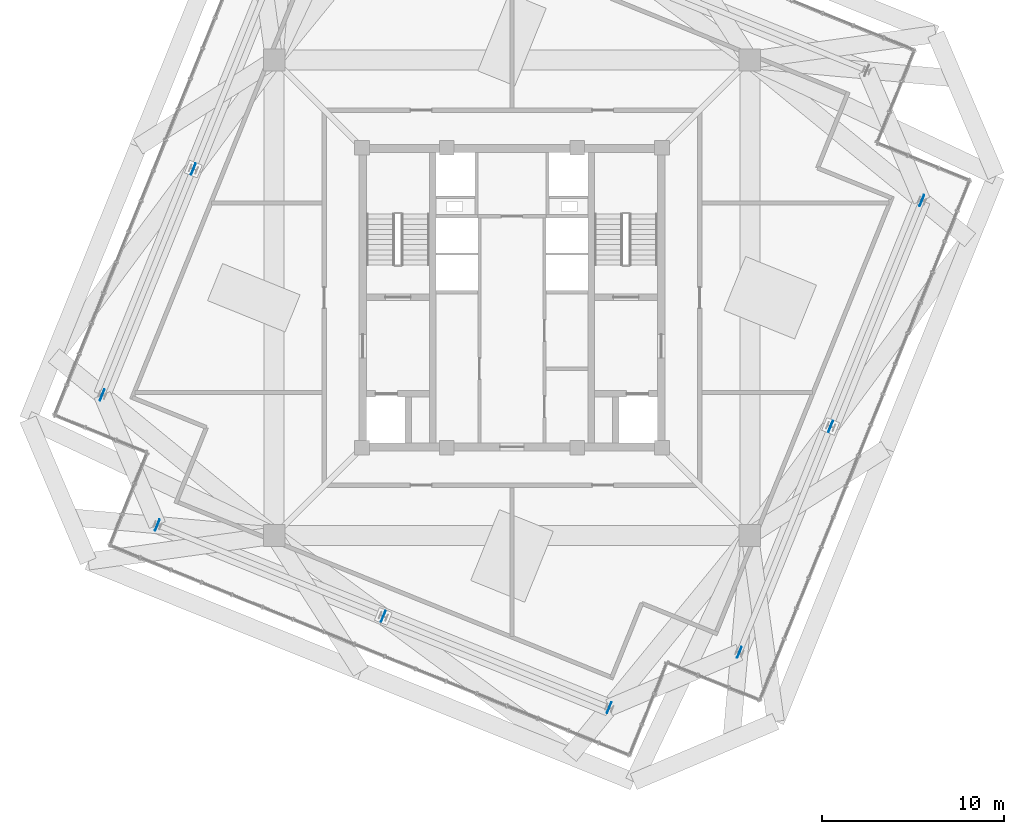
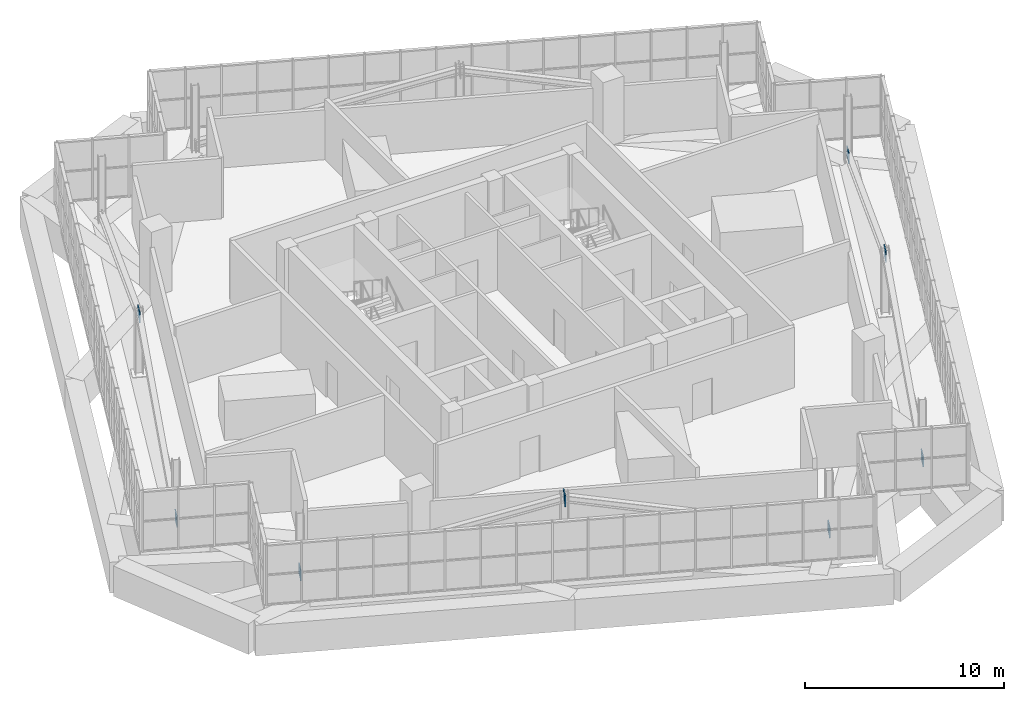
# One storey, part 30 of 35: 8 plates.
"""IFC4 building model written with IfcOpenShell, lengths in metres."""

import ifcopenshell
import ifcopenshell.guid

model = None  # the IFC model being written
_history = None  # IfcOwnerHistory: only IFC2X3 demands one
_inside = {}  # id of a spatial element -> (the spatial element, [elements in it])
_under = {}  # id of a project, library or spatial element -> (it, [spatial elements below it])
_declared = {}  # id of a project -> (the project, [libraries it declares])
_typed = {}  # id of a type object -> (the type object, [elements of that type])
_made_of = {}  # id of a material, layer set ... -> (it, [elements and type objects made of it])


def new_model(schema):
    """Start an empty IFC model of exactly this schema.

    Asked for "IFC4X3", IfcOpenShell would pick the latest addendum, in which some entities
    have other attributes; the version numbers below select the first issue.
    IFC2X3 requires an IfcOwnerHistory on every rooted entity: one is made here for all.
    """
    global model, _history
    if schema == "IFC4X3":
        model = ifcopenshell.file(schema_version=(4, 3, 0, 0))
    else:
        model = ifcopenshell.file(schema=schema)
    _inside.clear()
    _under.clear()
    _declared.clear()
    _typed.clear()
    _made_of.clear()
    _history = None
    if model.schema == "IFC2X3":
        org = make("IfcOrganization", Name="unknown")
        user = make(
            "IfcPersonAndOrganization",
            ThePerson=make("IfcPerson", FamilyName="unknown"),
            TheOrganization=org,
        )
        app = make(
            "IfcApplication",
            ApplicationDeveloper=org,
            Version="unknown",
            ApplicationFullName="unknown",
            ApplicationIdentifier="unknown",
        )
        _history = make(
            "IfcOwnerHistory",
            OwningUser=user,
            OwningApplication=app,
            ChangeAction="ADDED",
            CreationDate=0,
        )
    return model


def make(cls, **values):
    """One entity of the class cls with the attributes given. An attribute that is None is left unset."""
    return model.create_entity(
        cls, **{name: value for name, value in values.items() if value is not None}
    )


def rooted(cls, **values):
    """An entity with a GlobalId (a new one), such as an element, a storey or a relation."""
    return make(cls, GlobalId=ifcopenshell.guid.new(), OwnerHistory=_history, **values)


def si_unit(unit_type, name, prefix=None):
    """IfcSIUnit, for example si_unit("LENGTHUNIT", "METRE", prefix="MILLI")."""
    return make("IfcSIUnit", UnitType=unit_type, Prefix=prefix, Name=name)


def assignment(units):
    """IfcUnitAssignment: the units of a project."""
    return None if units is None else make("IfcUnitAssignment", Units=units)


def point(xyz):
    """IfcCartesianPoint."""
    return None if xyz is None else make("IfcCartesianPoint", Coordinates=xyz)


def direction(xyz):
    """IfcDirection."""
    return None if xyz is None else make("IfcDirection", DirectionRatios=xyz)


def frame(location, z_axis=None, x_axis=None):
    """IfcAxis2Placement3D, a coordinate frame: its origin and axes. An axis left out is left unset."""
    return make(
        "IfcAxis2Placement3D",
        Location=point(location),
        Axis=direction(z_axis),
        RefDirection=direction(x_axis),
    )


def frame_2d(location, x_axis=None):
    """IfcAxis2Placement2D, a coordinate frame in the plane: its origin and x axis."""
    return make(
        "IfcAxis2Placement2D", Location=point(location), RefDirection=direction(x_axis)
    )


def origin():
    """The frame at (0, 0, 0) with its axes left unset."""
    return frame((0.0, 0.0, 0.0))


def origin_2d():
    """The frame at (0, 0) in the plane with its x axis left unset."""
    return frame_2d((0.0, 0.0))


def place(relative_to, where):
    """IfcLocalPlacement: puts the frame where relative to a parent placement (None: the world)."""
    return make(
        "IfcLocalPlacement", PlacementRelTo=relative_to, RelativePlacement=where
    )


def context(
    kind, dimensions, precision=None, world=None, true_north=None, identifier=None
):
    """IfcGeometricRepresentationContext, for example the 3D "Model" context."""
    return make(
        "IfcGeometricRepresentationContext",
        ContextIdentifier=identifier,
        ContextType=kind,
        CoordinateSpaceDimension=dimensions,
        Precision=precision,
        WorldCoordinateSystem=world,
        TrueNorth=true_north,
    )


def subcontext(parent, identifier, kind, view, scale=None):
    """IfcGeometricRepresentationSubContext, for example "Body" below "Model"."""
    return make(
        "IfcGeometricRepresentationSubContext",
        ContextIdentifier=identifier,
        ContextType=kind,
        ParentContext=parent,
        TargetScale=scale,
        TargetView=view,
    )


def project(units=None, contexts=None):
    """IfcProject with its units and contexts."""
    return rooted(
        "IfcProject",
        Name="project",
        RepresentationContexts=contexts,
        UnitsInContext=assignment(units),
    )


def spatial(cls, under=None, at=None, **own):
    """A site, building, storey or space (cls), placed at a placement, below another one or the project."""
    s = rooted(cls, ObjectPlacement=at, **own)
    if under is not None:
        _under.setdefault(under.id(), (under, []))[1].append(s)
    return s


def profile(cls, at=None, kind="AREA", **sizes):
    """A parametric profile (cls). Its sizes go by their IFC names, for example OverallWidth=200.0."""
    return make(cls, ProfileType=kind, Position=at, **sizes)


def rectangle(**sizes):
    """IfcRectangleProfileDef."""
    return profile("IfcRectangleProfileDef", **sizes)


def extrude(swept, where, along, depth):
    """IfcExtrudedAreaSolid: the profile swept, set in the frame where, extruded along a direction by depth."""
    return make(
        "IfcExtrudedAreaSolid",
        SweptArea=swept,
        Position=where,
        ExtrudedDirection=direction(along),
        Depth=depth,
    )


def shape(context_of_items, identifier, shape_type, items):
    """IfcShapeRepresentation: the items that make up one representation, for example the "Body"."""
    return make(
        "IfcShapeRepresentation",
        ContextOfItems=context_of_items,
        RepresentationIdentifier=identifier,
        RepresentationType=shape_type,
        Items=items,
    )


def source(mapping_origin, context_of_items, identifier, shape_type, items):
    """IfcRepresentationMap: a shape defined once, which mapped items show again and again."""
    return make(
        "IfcRepresentationMap",
        MappingOrigin=mapping_origin,
        MappedRepresentation=shape(context_of_items, identifier, shape_type, items),
    )


def transform(
    local_origin,
    x_axis=None,
    y_axis=None,
    z_axis=None,
    scale=None,
    scale2=None,
    scale3=None,
    uniform=True,
):
    """IfcCartesianTransformationOperator3D, or its non-uniform kind. x_axis, y_axis, z_axis: its Axis1, 2, 3."""
    if uniform:
        return make(
            "IfcCartesianTransformationOperator3D",
            Axis1=direction(x_axis),
            Axis2=direction(y_axis),
            LocalOrigin=point(local_origin),
            Scale=scale,
            Axis3=direction(z_axis),
        )
    return make(
        "IfcCartesianTransformationOperator3DnonUniform",
        Axis1=direction(x_axis),
        Axis2=direction(y_axis),
        LocalOrigin=point(local_origin),
        Scale=scale,
        Axis3=direction(z_axis),
        Scale2=scale2,
        Scale3=scale3,
    )


def mapped(mapping_source, mapping_target):
    """IfcMappedItem: shows the shape of a source again, moved by a transform."""
    return make(
        "IfcMappedItem", MappingSource=mapping_source, MappingTarget=mapping_target
    )


def material(Name=None, Category=None):
    """IfcMaterial."""
    return make("IfcMaterial", Name=Name, Category=Category)


def layer(
    of_material, thickness, ventilated=None, Name=None, Category=None, Priority=None
):
    """IfcMaterialLayer: one layer of a wall or slab, of a material (None: an air gap)."""
    return make(
        "IfcMaterialLayer",
        Material=of_material,
        LayerThickness=thickness,
        IsVentilated=ventilated,
        Name=Name,
        Category=Category,
        Priority=Priority,
    )


def layer_set(layers, Name=None):
    """IfcMaterialLayerSet."""
    return make("IfcMaterialLayerSet", MaterialLayers=layers, LayerSetName=Name)


def made_of(thing, what):
    """Note that an element or type object is made of a material, layer set ...; save() writes the relation."""
    if what is not None:
        _made_of.setdefault(what.id(), (what, []))[1].append(thing)
    return thing


def type_object(cls, material=None, **own):
    """A type object (cls), such as IfcWallType, which elements share."""
    return made_of(rooted(cls, **own), material)


def element(
    cls,
    number,
    at=None,
    inside=None,
    cuts=None,
    type_object=None,
    material=None,
    context=None,
    identifier="Body",
    shape_type=None,
    held_by="IfcProductDefinitionShape",
    body=None,
    shapes=None,
    **own,
):
    """One element of the class cls, such as IfcWall. Its Tag is "e" and its number.

    at: its placement. inside: the storey or other place that contains it. cuts: it is an
    opening in that element (IfcRelVoidsElement). A single representation is given by context,
    identifier, shape_type and body (its items); several are given by shapes. held_by: the class
    of the entity that holds the representations. save() writes the other relations.
    """
    e = rooted(cls, Tag="e%d" % number, ObjectPlacement=at, **own)
    if body is not None:
        shapes = [shape(context, identifier, shape_type, body)]
    if shapes is not None:
        e.Representation = make(held_by, Representations=shapes)
    if inside is not None:
        _inside.setdefault(inside.id(), (inside, []))[1].append(e)
    if cuts is not None:
        rooted(
            "IfcRelVoidsElement", RelatingBuildingElement=cuts, RelatedOpeningElement=e
        )
    if type_object is not None:
        _typed.setdefault(type_object.id(), (type_object, []))[1].append(e)
    return made_of(e, material)


def aggregate(whole, parts):
    """IfcRelAggregates: a whole, such as a stair, and the parts it consists of."""
    return rooted("IfcRelAggregates", RelatingObject=whole, RelatedObjects=parts)


def save(model, path):
    """Write the relations noted so far, then the file.

    IfcRelAggregates (storeys below a building ...), IfcRelContainedInSpatialStructure (elements
    in a storey), IfcRelDefinesByType, IfcRelAssociatesMaterial and IfcRelDeclares: one each for
    every whole, place, type object, material and project.
    """
    for whole, parts in _under.values():
        aggregate(whole, parts)
    for where, things in _inside.values():
        rooted(
            "IfcRelContainedInSpatialStructure",
            RelatedElements=things,
            RelatingStructure=where,
        )
    for kind, things in _typed.values():
        rooted("IfcRelDefinesByType", RelatedObjects=things, RelatingType=kind)
    for what, things in _made_of.values():
        rooted("IfcRelAssociatesMaterial", RelatedObjects=things, RelatingMaterial=what)
    for by, libraries in _declared.values():
        rooted("IfcRelDeclares", RelatingContext=by, RelatedDefinitions=libraries)
    model.write(path)


model = new_model("IFC4")

# Units and contexts
model_context = context("Model", 3, precision=1e-05, world=origin(), true_north=direction((0.0, 1.0)))
body_context = subcontext(model_context, "Body", "Model", "MODEL_VIEW")
ifc_project = project(units=[si_unit("LENGTHUNIT", "METRE"), si_unit("AREAUNIT", "SQUARE_METRE"), si_unit("VOLUMEUNIT", "CUBIC_METRE"), si_unit("PLANEANGLEUNIT", "RADIAN"), si_unit("MASSUNIT", "GRAM", prefix="KILO"), si_unit("THERMODYNAMICTEMPERATUREUNIT", "KELVIN")], contexts=[model_context])

# Site, building, storey
site_placement = place(None, origin())
site = spatial("IfcSite", under=ifc_project, at=site_placement, CompositionType="ELEMENT")
building_placement = place(site_placement, origin())
building = spatial("IfcBuilding", under=site, at=building_placement, Name="Kosmvard Interchange Tower", CompositionType="ELEMENT")
storey_placement = place(building_placement, frame((0.0, 0.0, 321.60009765625)))
storey = spatial("IfcBuildingStorey", under=building, at=storey_placement, Name="L79", CompositionType="ELEMENT", Elevation=321.60009765625)

# Plates
ifc_material = material(Name="Steel S355", Category="steel")
ifc_layer = layer(ifc_material, 0.0380859375, Name="Steel S355")
ifc_layer_set = layer_set([ifc_layer], Name="Steel S355")
plate_type = type_object("IfcPlateType", Name="Lantern Base & Chord End Cap Stiffener 750x750x38 S355", PredefinedType="USERDEFINED", material=ifc_layer_set)
shared_shape = source(origin(), body_context, "Body", "SweptSolid", [
    extrude(rectangle(XDim=0.64990234375, YDim=0.0380859375, at=origin_2d()), origin(), (0.0, 0.0, 1.0), 0.64990234375),
])
for number, where, z_axis, x_axis, name in (
    (1, (12.504150390625, -19.50439453125, 0.094970703125), (0.0, 0.0, 1.0), (0.374606593416, 0.927183854567, 0.0), "L79 Crown Diagrid Node Gusset Plate LAS"),
    (2, (22.54345703125, 5.34423828125, 0.094970703125), (0.0, 0.0, 1.0), (0.374606593416, 0.927183854567, 0.0), "L79 Crown Diagrid Node Gusset Plate LBS"),
    (3, (17.523681640625, -7.080078125, 3.324951171875), (0.0, 0.0, 1.0), (0.374606593416, 0.927183854567, 0.0), "L79 Crown Diagrid Node Gusset Plate LMS"),
    (4, (-22.54345703125, -5.34423828125, 0.094970703125), (0.0, 0.0, 1.0), (0.374606593416, 0.927183854567, 0.0), "L79 Crown Diagrid Node Gusset Plate LBN"),
    (5, (-17.523681640625, 7.080078125, 3.324951171875), (0.0, 0.0, 1.0), (0.374606593416, 0.927183854567, 0.0), "L79 Crown Diagrid Node Gusset Plate LMN"),
    (6, (-19.50439453125, -12.504150390625, 0.094970703125), (0.0, 0.0, 1.0), (0.374606593416, 0.927183854567, 0.0), "L79 Crown Diagrid Node Gusset Plate LAW"),
    (7, (5.34423828125, -22.54345703125, 0.094970703125), (0.0, 0.0, 1.0), (0.374606593416, 0.927183854567, 0.0), "L79 Crown Diagrid Node Gusset Plate LBW"),
    (8, (-7.080078125, -17.523681640625, 3.324951171875), (0.0, 0.0, 1.0), (0.374606593416, 0.927183854567, 0.0), "L79 Crown Diagrid Node Gusset Plate LMW"),
):
    element("IfcPlate", number, at=place(storey_placement, frame(where, z_axis=z_axis, x_axis=x_axis)), inside=storey, type_object=plate_type, Name=name, ObjectType="STIFFENER_PLATE", PredefinedType="USERDEFINED", context=body_context, shape_type="MappedRepresentation", body=[
        mapped(shared_shape, transform((0.0, 0.0, 0.0), scale=1.0)),
    ])

save(model, "model.ifc")
